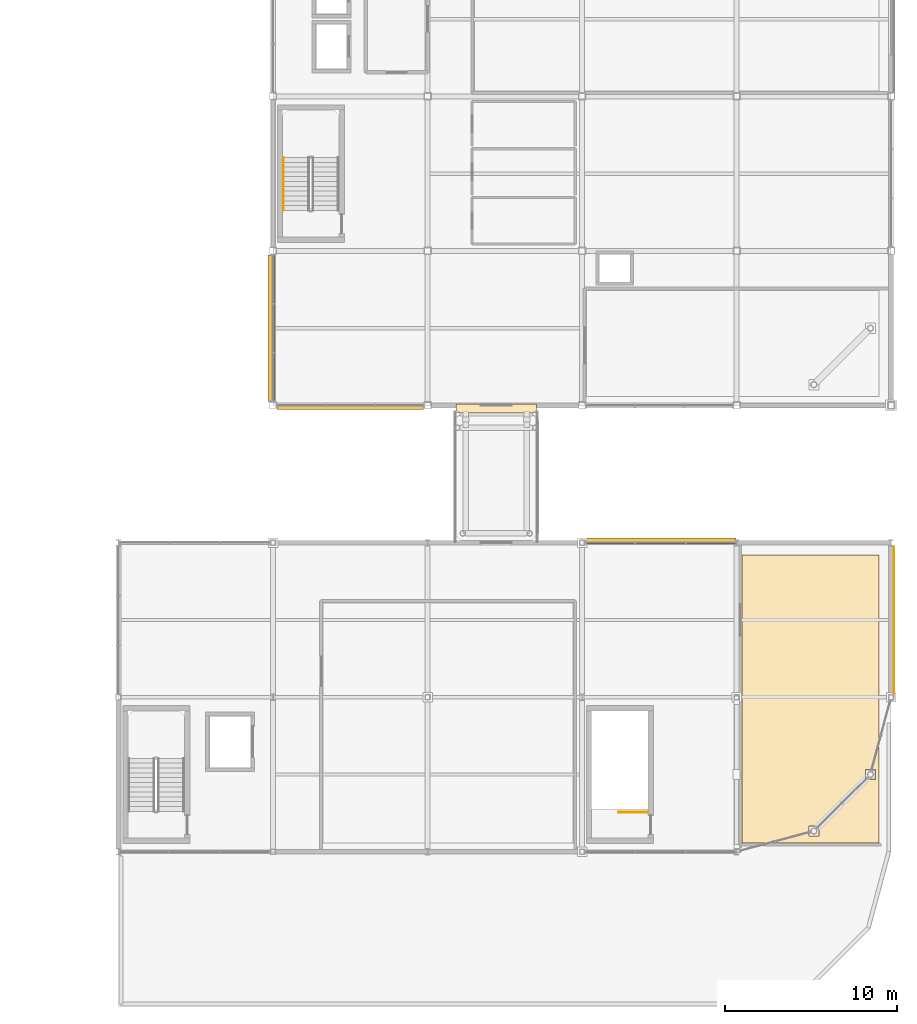
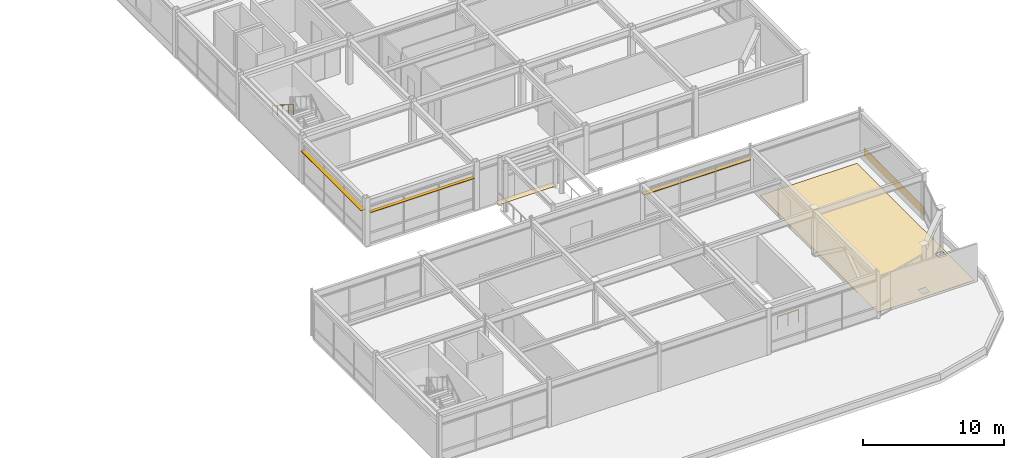
# One storey, part 66 of 70: 3 coverings, 3 shading devices, 2 railings.
"""IFC4 building model written with IfcOpenShell, lengths in metres."""

from ifc_helpers import new_model, si_unit, direction, frame, origin, origin_2d, place, context, subcontext, project, spatial, polyline, rectangle, circle, outline, extrude, material, layer, layer_set, material_profile, profile_set, type_object, element, save


model = new_model("IFC4")

# Units and contexts
model_context = context("Model", 3, precision=1e-05, world=origin(), true_north=direction((0.0, 1.0)))
body_context = subcontext(model_context, "Body", "Model", "MODEL_VIEW")
ifc_project = project(units=[si_unit("LENGTHUNIT", "METRE"), si_unit("AREAUNIT", "SQUARE_METRE"), si_unit("VOLUMEUNIT", "CUBIC_METRE"), si_unit("PLANEANGLEUNIT", "RADIAN"), si_unit("MASSUNIT", "GRAM", prefix="KILO")], contexts=[model_context])

# Site, building, storey
site_placement = place(None, origin())
site = spatial("IfcSite", under=ifc_project, at=site_placement, CompositionType="ELEMENT")
building_placement = place(site_placement, origin())
building = spatial("IfcBuilding", under=site, at=building_placement, Name="Suzunagisa Mobility Hub", CompositionType="ELEMENT")
storey_placement = place(building_placement, frame((0.0, 0.0, 13.5)))
storey = spatial("IfcBuildingStorey", under=building, at=storey_placement, Name="L03", CompositionType="ELEMENT", Elevation=13.5)

# Railing
ifc_material_1 = material(Name="Stainless Steel SUS304", Category="metal")
railing_type_1 = type_object("IfcRailingType", Name="Interior Well Guardrail IGR-01", PredefinedType="GUARDRAIL", material=ifc_material_1)
railing_1_placement = place(storey_placement, frame((165.840087890625, 20.31005859375, 0.0)))
element("IfcRailing", 1, at=railing_1_placement, inside=storey, type_object=railing_type_1, Name="L03 ST-10 top well guard 1", PredefinedType="GUARDRAIL", context=body_context, shape_type="SweptSolid", body=[
    extrude(circle(Radius=0.02392578125, at=origin_2d()), frame((0.0, 0.0, 1.09619140625), z_axis=(-1.0, 0.0, 0.0), x_axis=(0.0, -1.0, 0.0)), (0.0, 0.0, 1.0), 1.719970703125),
    extrude(circle(Radius=0.02099609375, at=origin_2d()), origin(), (0.0, 0.0, 1.0), 1.072021484375),
    extrude(circle(Radius=0.02099609375, at=origin_2d()), frame((-0.85986328125, 0.0, 0.0)), (0.0, 0.0, 1.0), 1.072021484375),
    extrude(circle(Radius=0.02099609375, at=origin_2d()), frame((-1.719970703125, 0.0, 0.0)), (0.0, 0.0, 1.0), 1.072021484375),
])

# Coverings
ifc_material_2 = material(Name="Polished Aggregate Terrazzo Finish")
ifc_layer_1 = layer(ifc_material_2, 0.02001953125)
ifc_layer_set_1 = layer_set([ifc_layer_1], Name="Polished Aggregate Terrazzo Finish")
covering_type_1 = type_object("IfcCoveringType", Name="Polished Terrazzo Heavy-Traffic Flooring FLR-01", PredefinedType="FLOORING", material=ifc_layer_set_1)
covering_1_placement = place(storey_placement, origin())
element("IfcCovering", 2, at=covering_1_placement, inside=storey, type_object=covering_type_1, Name="L03 Clean-Energy Shuttle Maintenance Studio L03 Terrazzo Flooring", PredefinedType="FLOORING", context=body_context, shape_type="SweptSolid", body=[
    extrude(outline(polyline([(171.320068359375, 35.280029296875), (179.280029296875, 35.280029296875), (179.280029296875, 18.52001953125), (171.320068359375, 18.52001953125), (171.320068359375, 35.280029296875)]), holes=[polyline([(175.7978515625, 19.503662109375), (175.2021484375, 19.503662109375), (175.2021484375, 18.907958984375), (175.7978515625, 18.907958984375), (175.7978515625, 19.503662109375)]), polyline([(179.092041015625, 22.2021484375), (179.092041015625, 22.7978515625), (178.496337890625, 22.7978515625), (178.496337890625, 22.2021484375), (179.092041015625, 22.2021484375)])]), origin(), (0.0, 0.0, 1.0), 0.02001953125),
])
covering_2_placement = place(storey_placement, frame((0.0, 0.0, -0.02001953125)))
element("IfcCovering", 3, at=covering_2_placement, inside=storey, type_object=covering_type_1, Name="L03 Flush Hinged Seismic Threshold Plate SB-05", PredefinedType="FLOORING", context=body_context, shape_type="SweptSolid", body=[
    extrude(outline(polyline([(154.64990234375, 43.570068359375), (159.35009765625, 43.570068359375), (159.35009765625, 44.080078125), (154.64990234375, 44.080078125), (154.64990234375, 43.570068359375)])), origin(), (0.0, 0.0, 1.0), 0.02001953125),
])
ifc_material_3 = material(Name="Vitreous Porcelain Enamel Aluminum Cladding", Category="aluminium")
ifc_layer_2 = layer(ifc_material_3, 0.034912109375)
ifc_layer_set_2 = layer_set([ifc_layer_2], Name="Vitreous Porcelain Enamel Aluminum Cladding")
covering_type_2 = type_object("IfcCoveringType", Name="Porcelain Enamel Spandrel Cladding Band CLD-01", PredefinedType="CLADDING", material=ifc_layer_set_2)
covering_3_placement = place(storey_placement, frame((180.16748046875, 31.489990234375, 0.06005859375), z_axis=(0.0, 0.0, 1.0), x_axis=(0.0, 1.0, 0.0)))
element("IfcCovering", 4, at=covering_3_placement, inside=storey, type_object=covering_type_2, Name="L03 Porcelain Spandrel Cladding Band CLD-36", PredefinedType="CLADDING", context=body_context, shape_type="SweptSolid", body=[
    extrude(rectangle(XDim=8.580078125, YDim=0.034912109375, at=origin_2d()), origin(), (0.0, 0.0, 1.0), 0.719970703125),
])

# Shading devices
ifc_material_4 = material(Name="Fluoropolymer-Coated Extruded Aluminum 6063-T5", Category="aluminium")
ifc_material_profile_1 = material_profile(ifc_material_4, rectangle(XDim=0.360107421875, YDim=0.050048828125, at=origin_2d()), Name="FIN-360x50")
ifc_profile_set_1 = profile_set([ifc_material_profile_1], Name="Fluoropolymer-Coated Extruded Aluminum 6063-T5")
shading_device_type_1 = type_object("IfcShadingDeviceType", Name="Streamline Aluminum Sunshade SF-01 FIN-360x50", PredefinedType="SHUTTER", material=ifc_profile_set_1)
shading_device_1_placement = place(storey_placement, frame((170.965576171875, 36.110107421875, 2.840087890625), z_axis=(-1.0, 0.0, 0.0), x_axis=(0.0, -1.0, 0.0)))
element("IfcShadingDevice", 5, at=shading_device_1_placement, inside=storey, type_object=shading_device_type_1, Name="L03 Streamline Speed-Rail Sunshade Fin SF-35", PredefinedType="SHUTTER", context=body_context, shape_type="SweptSolid", body=[
    extrude(rectangle(XDim=0.360107421875, YDim=0.050048828125, at=origin_2d()), origin(), (0.0, 0.0, 1.0), 8.78564453125),
])
ifc_material_profile_2 = material_profile(ifc_material_4, rectangle(XDim=0.280029296875, YDim=0.044921875, at=origin_2d()), Name="FIN-280x45")
ifc_profile_set_2 = profile_set([ifc_material_profile_2], Name="Fluoropolymer-Coated Extruded Aluminum 6063-T5")
shading_device_type_2 = type_object("IfcShadingDeviceType", Name="Streamline Aluminum Sunshade SF-03 FIN-280x45", PredefinedType="USERDEFINED", material=ifc_profile_set_2)
shading_device_2_placement = place(storey_placement, frame((144.22998046875, 43.892578125, 2.85009765625), z_axis=(1.0, 0.0, 0.0), x_axis=(0.0, 1.0, 0.0)))
element("IfcShadingDevice", 6, at=shading_device_2_placement, inside=storey, type_object=shading_device_type_2, Name="L03 Streamline Speed-Rail Sunshade Fin SF-45", ObjectType="SUNSHADE FIN", PredefinedType="USERDEFINED", context=body_context, shape_type="SweptSolid", body=[
    extrude(rectangle(XDim=0.280029296875, YDim=0.044921875, at=origin_2d()), origin(), (0.0, 0.0, 1.0), 8.5400390625),
])
ifc_material_profile_3 = material_profile(ifc_material_4, rectangle(XDim=0.360107421875, YDim=0.050048828125, at=origin_2d()), Name="FIN-360x50")
ifc_profile_set_3 = profile_set([ifc_material_profile_3], Name="Fluoropolymer-Coated Extruded Aluminum 6063-T5")
shading_device_type_3 = type_object("IfcShadingDeviceType", Name="Streamline Aluminum Sunshade SF-04 FIN-360x50", PredefinedType="USERDEFINED", material=ifc_profile_set_3)
shading_device_3_placement = place(storey_placement, frame((143.889892578125, 52.77001953125, 2.912109375), z_axis=(0.0, -1.0, 0.0), x_axis=(1.0, 0.0, 0.0)))
element("IfcShadingDevice", 7, at=shading_device_3_placement, inside=storey, type_object=shading_device_type_3, Name="L03 Streamline Speed-Rail Sunshade Fin SF-48", ObjectType="SUNSHADE FIN", PredefinedType="USERDEFINED", context=body_context, shape_type="SweptSolid", body=[
    extrude(rectangle(XDim=0.360107421875, YDim=0.050048828125, at=origin_2d()), origin(), (0.0, 0.0, 1.0), 8.5400390625),
])

# Railing
railing_type_2 = type_object("IfcRailingType", Name="Tubular Stainless Stair Handrail IHR-01", PredefinedType="HANDRAIL", material=ifc_material_1)
railing_2_placement = place(storey_placement, frame((144.610107421875, 58.43994140625, 2.27490234375)))
element("IfcRailing", 8, at=railing_2_placement, inside=storey, type_object=railing_type_2, Name="L03 ST-11 stair handrail 2", PredefinedType="HANDRAIL", context=body_context, shape_type="SweptSolid", body=[
    extrude(circle(Radius=0.02392578125, at=origin_2d()), frame((0.0, 0.0, 0.8759765625), z_axis=(0.0, -0.847979421464, 0.530029150871), x_axis=(1.0, 0.0, 0.0)), (0.0, 0.0, 1.0), 3.632080078125),
    extrude(circle(Radius=0.02099609375, at=origin_2d()), origin(), (0.0, 0.0, 1.0), 0.851806640625),
    extrude(circle(Radius=0.02099609375, at=origin_2d()), frame((0.0, -0.77001953125, 0.481201171875)), (0.0, 0.0, 1.0), 0.851806640625),
    extrude(circle(Radius=0.02099609375, at=origin_2d()), frame((0.0, -1.5400390625, 0.96240234375)), (0.0, 0.0, 1.0), 0.851806640625),
    extrude(circle(Radius=0.02099609375, at=origin_2d()), frame((0.0, -2.309814453125, 1.44384765625)), (0.0, 0.0, 1.0), 0.851806640625),
    extrude(circle(Radius=0.02099609375, at=origin_2d()), frame((0.0, -3.079833984375, 1.925048828125)), (0.0, 0.0, 1.0), 0.851806640625),
])

save(model, "model.ifc")
